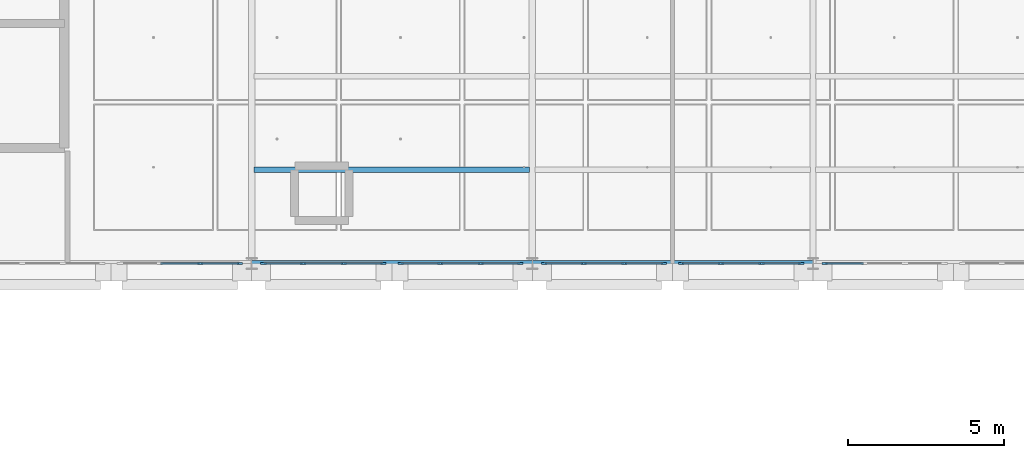
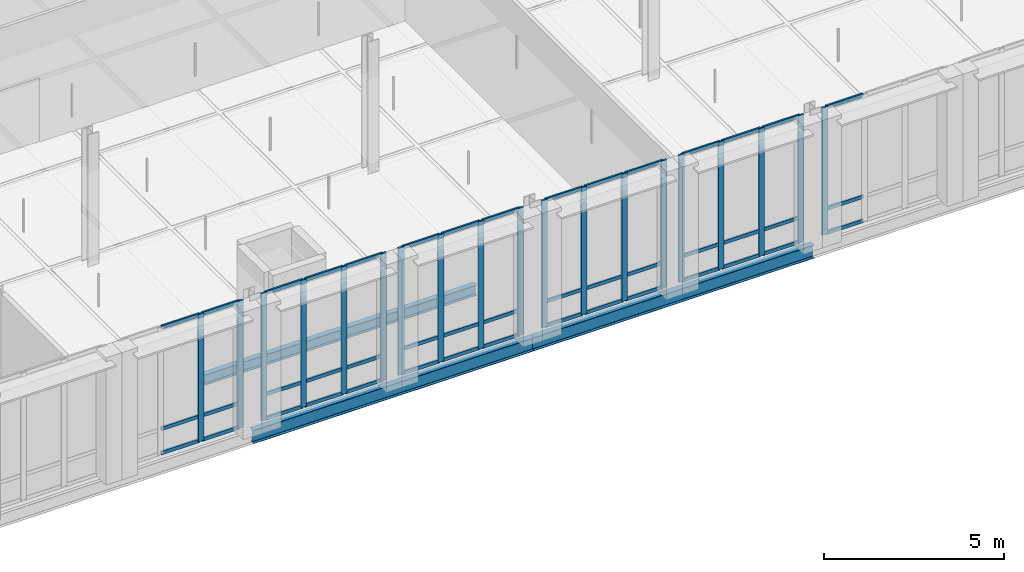
# One storey, part 48 of 130: 64 members, 3 beams, 6 elements without a shape of their own.
"""IFC4 building model written with IfcOpenShell, lengths in metres."""

from ifc_helpers import new_model, si_unit, direction, frame, origin, origin_2d, place, context, subcontext, project, spatial, rectangle, i_section, extrude, material, material_profile, profile_set, type_object, element, aggregate, save


model = new_model("IFC4")

# Units and contexts
model_context = context("Model", 3, precision=1e-05, world=origin(), true_north=direction((0.0, 1.0)))
body_context = subcontext(model_context, "Body", "Model", "MODEL_VIEW")
ifc_project = project(units=[si_unit("LENGTHUNIT", "METRE"), si_unit("AREAUNIT", "SQUARE_METRE"), si_unit("VOLUMEUNIT", "CUBIC_METRE"), si_unit("PLANEANGLEUNIT", "RADIAN"), si_unit("MASSUNIT", "GRAM", prefix="KILO"), si_unit("THERMODYNAMICTEMPERATUREUNIT", "KELVIN"), si_unit("POWERUNIT", "WATT")], contexts=[model_context])

# Site, building, storey
site_placement = place(None, origin())
site = spatial("IfcSite", under=ifc_project, at=site_placement, CompositionType="ELEMENT")
building_placement = place(site_placement, origin())
building = spatial("IfcBuilding", under=site, at=building_placement, Name="Tallowbark Science Centre", CompositionType="ELEMENT")
storey_placement = place(building_placement, frame((0.0, 0.0, 5.39990234375)))
storey = spatial("IfcBuildingStorey", under=building, at=storey_placement, Name="L01", CompositionType="ELEMENT", Elevation=5.39990234375)

# Curtain wall, members
ifc_material_1 = material(Name="Unitised Thermally Broken Aluminium and Low-E Double Glazing", Category="aluminium")
curtain_wall_type = type_object("IfcCurtainWallType", Name="CW-SYS-FACADE", PredefinedType="NOTDEFINED", material=ifc_material_1)
curtain_wall_1_placement = place(storey_placement, origin())
curtain_wall_1 = element("IfcCurtainWall", 1, at=curtain_wall_1_placement, inside=storey, type_object=curtain_wall_type, Name="Unitised Curtain Wall OBS-S-121B CW-L01-117", PredefinedType="NOTDEFINED")
ifc_material_2 = material(Name="Anodised Architectural Aluminium Alloy 6063-T6", Category="aluminium")
ifc_material_profile_1 = material_profile(ifc_material_2, rectangle(XDim=0.06494140625, YDim=0.179931640625, at=origin_2d()), Name="ALU65x180")
ifc_profile_set_1 = profile_set([ifc_material_profile_1], Name="Anodised Architectural Aluminium Alloy 6063-T6")
member_type_1 = type_object("IfcMemberType", Name="CWM-MUL-220", PredefinedType="MULLION", material=ifc_profile_set_1)
member_1_placement = place(storey_placement, frame((128.85009765625, 72.0, 0.0), z_axis=(0.0, 0.0, 1.0), x_axis=(0.0, 1.0, 0.0)))
member_1 = element("IfcMember", 2, at=member_1_placement, type_object=member_type_1, Name="CW-01 mullion 3", PredefinedType="MULLION", context=body_context, shape_type="SweptSolid", body=[
    extrude(rectangle(XDim=0.06494140625, YDim=0.179931640625, at=origin_2d()), origin(), (0.0, 0.0, 1.0), 4.320068359375),
])
member_2_placement = place(storey_placement, frame((130.117431640625, 72.0, 0.0), z_axis=(0.0, 0.0, 1.0), x_axis=(0.0, 1.0, 0.0)))
member_2 = element("IfcMember", 3, at=member_2_placement, type_object=member_type_1, Name="CW-01 mullion 4", PredefinedType="MULLION", context=body_context, shape_type="SweptSolid", body=[
    extrude(rectangle(XDim=0.06494140625, YDim=0.179931640625, at=origin_2d()), origin(), (0.0, 0.0, 1.0), 4.320068359375),
])

curtain_wall_2_placement = place(storey_placement, origin())
curtain_wall_2 = element("IfcCurtainWall", 4, at=curtain_wall_2_placement, inside=storey, type_object=curtain_wall_type, Name="Unitised Curtain Wall OBS-S-130A CW-L01-120", PredefinedType="NOTDEFINED")
member_3_placement = place(storey_placement, frame((130.882568359375, 72.0, 0.0), z_axis=(0.0, 0.0, 1.0), x_axis=(0.0, 1.0, 0.0)))
member_3 = element("IfcMember", 5, at=member_3_placement, type_object=member_type_1, Name="CW-01 mullion 1", PredefinedType="MULLION", context=body_context, shape_type="SweptSolid", body=[
    extrude(rectangle(XDim=0.06494140625, YDim=0.179931640625, at=origin_2d()), origin(), (0.0, 0.0, 1.0), 4.320068359375),
])
member_4_placement = place(storey_placement, frame((132.14990234375, 72.0, 0.0), z_axis=(0.0, 0.0, 1.0), x_axis=(0.0, 1.0, 0.0)))
member_4 = element("IfcMember", 6, at=member_4_placement, type_object=member_type_1, Name="CW-01 mullion 2", PredefinedType="MULLION", context=body_context, shape_type="SweptSolid", body=[
    extrude(rectangle(XDim=0.06494140625, YDim=0.179931640625, at=origin_2d()), origin(), (0.0, 0.0, 1.0), 4.320068359375),
])
member_5_placement = place(storey_placement, frame((133.449951171875, 72.0, 0.0), z_axis=(0.0, 0.0, 1.0), x_axis=(0.0, 1.0, 0.0)))
member_5 = element("IfcMember", 7, at=member_5_placement, type_object=member_type_1, Name="CW-01 mullion 3", PredefinedType="MULLION", context=body_context, shape_type="SweptSolid", body=[
    extrude(rectangle(XDim=0.06494140625, YDim=0.179931640625, at=origin_2d()), origin(), (0.0, 0.0, 1.0), 4.320068359375),
])
member_6_placement = place(storey_placement, frame((134.717529296875, 72.0, 0.0), z_axis=(0.0, 0.0, 1.0), x_axis=(0.0, 1.0, 0.0)))
member_6 = element("IfcMember", 8, at=member_6_placement, type_object=member_type_1, Name="CW-01 mullion 4", PredefinedType="MULLION", context=body_context, shape_type="SweptSolid", body=[
    extrude(rectangle(XDim=0.06494140625, YDim=0.179931640625, at=origin_2d()), origin(), (0.0, 0.0, 1.0), 4.320068359375),
])

curtain_wall_3_placement = place(storey_placement, origin())
curtain_wall_3 = element("IfcCurtainWall", 9, at=curtain_wall_3_placement, inside=storey, type_object=curtain_wall_type, Name="Unitised Curtain Wall OBS-S-130B CW-L01-121", PredefinedType="NOTDEFINED")
member_7_placement = place(storey_placement, frame((135.282470703125, 72.0, 0.0), z_axis=(0.0, 0.0, 1.0), x_axis=(0.0, 1.0, 0.0)))
member_7 = element("IfcMember", 10, at=member_7_placement, type_object=member_type_1, Name="CW-01 mullion 1", PredefinedType="MULLION", context=body_context, shape_type="SweptSolid", body=[
    extrude(rectangle(XDim=0.06494140625, YDim=0.179931640625, at=origin_2d()), origin(), (0.0, 0.0, 1.0), 4.320068359375),
])
member_8_placement = place(storey_placement, frame((136.550048828125, 72.0, 0.0), z_axis=(0.0, 0.0, 1.0), x_axis=(0.0, 1.0, 0.0)))
member_8 = element("IfcMember", 11, at=member_8_placement, type_object=member_type_1, Name="CW-01 mullion 2", PredefinedType="MULLION", context=body_context, shape_type="SweptSolid", body=[
    extrude(rectangle(XDim=0.06494140625, YDim=0.179931640625, at=origin_2d()), origin(), (0.0, 0.0, 1.0), 4.320068359375),
])
member_9_placement = place(storey_placement, frame((137.85009765625, 72.0, 0.0), z_axis=(0.0, 0.0, 1.0), x_axis=(0.0, 1.0, 0.0)))
member_9 = element("IfcMember", 12, at=member_9_placement, type_object=member_type_1, Name="CW-01 mullion 3", PredefinedType="MULLION", context=body_context, shape_type="SweptSolid", body=[
    extrude(rectangle(XDim=0.06494140625, YDim=0.179931640625, at=origin_2d()), origin(), (0.0, 0.0, 1.0), 4.320068359375),
])
member_10_placement = place(storey_placement, frame((139.117431640625, 72.0, 0.0), z_axis=(0.0, 0.0, 1.0), x_axis=(0.0, 1.0, 0.0)))
member_10 = element("IfcMember", 13, at=member_10_placement, type_object=member_type_1, Name="CW-01 mullion 4", PredefinedType="MULLION", context=body_context, shape_type="SweptSolid", body=[
    extrude(rectangle(XDim=0.06494140625, YDim=0.179931640625, at=origin_2d()), origin(), (0.0, 0.0, 1.0), 4.320068359375),
])

curtain_wall_4_placement = place(storey_placement, origin())
curtain_wall_4 = element("IfcCurtainWall", 14, at=curtain_wall_4_placement, inside=storey, type_object=curtain_wall_type, Name="Unitised Curtain Wall OBS-S-139A CW-L01-124", PredefinedType="NOTDEFINED")
member_11_placement = place(storey_placement, frame((139.882568359375, 72.0, 0.0), z_axis=(0.0, 0.0, 1.0), x_axis=(0.0, 1.0, 0.0)))
member_11 = element("IfcMember", 15, at=member_11_placement, type_object=member_type_1, Name="CW-01 mullion 1", PredefinedType="MULLION", context=body_context, shape_type="SweptSolid", body=[
    extrude(rectangle(XDim=0.06494140625, YDim=0.179931640625, at=origin_2d()), origin(), (0.0, 0.0, 1.0), 4.320068359375),
])
member_12_placement = place(storey_placement, frame((141.14990234375, 72.0, 0.0), z_axis=(0.0, 0.0, 1.0), x_axis=(0.0, 1.0, 0.0)))
member_12 = element("IfcMember", 16, at=member_12_placement, type_object=member_type_1, Name="CW-01 mullion 2", PredefinedType="MULLION", context=body_context, shape_type="SweptSolid", body=[
    extrude(rectangle(XDim=0.06494140625, YDim=0.179931640625, at=origin_2d()), origin(), (0.0, 0.0, 1.0), 4.320068359375),
])
member_13_placement = place(storey_placement, frame((142.449951171875, 72.0, 0.0), z_axis=(0.0, 0.0, 1.0), x_axis=(0.0, 1.0, 0.0)))
member_13 = element("IfcMember", 17, at=member_13_placement, type_object=member_type_1, Name="CW-01 mullion 3", PredefinedType="MULLION", context=body_context, shape_type="SweptSolid", body=[
    extrude(rectangle(XDim=0.06494140625, YDim=0.179931640625, at=origin_2d()), origin(), (0.0, 0.0, 1.0), 4.320068359375),
])
member_14_placement = place(storey_placement, frame((143.717529296875, 72.0, 0.0), z_axis=(0.0, 0.0, 1.0), x_axis=(0.0, 1.0, 0.0)))
member_14 = element("IfcMember", 18, at=member_14_placement, type_object=member_type_1, Name="CW-01 mullion 4", PredefinedType="MULLION", context=body_context, shape_type="SweptSolid", body=[
    extrude(rectangle(XDim=0.06494140625, YDim=0.179931640625, at=origin_2d()), origin(), (0.0, 0.0, 1.0), 4.320068359375),
])

curtain_wall_5_placement = place(storey_placement, origin())
curtain_wall_5 = element("IfcCurtainWall", 19, at=curtain_wall_5_placement, inside=storey, type_object=curtain_wall_type, Name="Unitised Curtain Wall OBS-S-139B CW-L01-125", PredefinedType="NOTDEFINED")
member_15_placement = place(storey_placement, frame((144.282470703125, 72.0, 0.0), z_axis=(0.0, 0.0, 1.0), x_axis=(0.0, 1.0, 0.0)))
member_15 = element("IfcMember", 20, at=member_15_placement, type_object=member_type_1, Name="CW-01 mullion 1", PredefinedType="MULLION", context=body_context, shape_type="SweptSolid", body=[
    extrude(rectangle(XDim=0.06494140625, YDim=0.179931640625, at=origin_2d()), origin(), (0.0, 0.0, 1.0), 4.320068359375),
])
member_16_placement = place(storey_placement, frame((145.550048828125, 72.0, 0.0), z_axis=(0.0, 0.0, 1.0), x_axis=(0.0, 1.0, 0.0)))
member_16 = element("IfcMember", 21, at=member_16_placement, type_object=member_type_1, Name="CW-01 mullion 2", PredefinedType="MULLION", context=body_context, shape_type="SweptSolid", body=[
    extrude(rectangle(XDim=0.06494140625, YDim=0.179931640625, at=origin_2d()), origin(), (0.0, 0.0, 1.0), 4.320068359375),
])
member_17_placement = place(storey_placement, frame((146.85009765625, 72.0, 0.0), z_axis=(0.0, 0.0, 1.0), x_axis=(0.0, 1.0, 0.0)))
member_17 = element("IfcMember", 22, at=member_17_placement, type_object=member_type_1, Name="CW-01 mullion 3", PredefinedType="MULLION", context=body_context, shape_type="SweptSolid", body=[
    extrude(rectangle(XDim=0.06494140625, YDim=0.179931640625, at=origin_2d()), origin(), (0.0, 0.0, 1.0), 4.320068359375),
])
member_18_placement = place(storey_placement, frame((148.117431640625, 72.0, 0.0), z_axis=(0.0, 0.0, 1.0), x_axis=(0.0, 1.0, 0.0)))
member_18 = element("IfcMember", 23, at=member_18_placement, type_object=member_type_1, Name="CW-01 mullion 4", PredefinedType="MULLION", context=body_context, shape_type="SweptSolid", body=[
    extrude(rectangle(XDim=0.06494140625, YDim=0.179931640625, at=origin_2d()), origin(), (0.0, 0.0, 1.0), 4.320068359375),
])

# Curtain wall, member
curtain_wall_6_placement = place(storey_placement, origin())
curtain_wall_6 = element("IfcCurtainWall", 24, at=curtain_wall_6_placement, inside=storey, type_object=curtain_wall_type, Name="Unitised Curtain Wall OBS-S-148A CW-L01-128", PredefinedType="NOTDEFINED")
member_19_placement = place(storey_placement, frame((148.882568359375, 72.0, 0.0), z_axis=(0.0, 0.0, 1.0), x_axis=(0.0, 1.0, 0.0)))
member_19 = element("IfcMember", 25, at=member_19_placement, type_object=member_type_1, Name="CW-01 mullion 1", PredefinedType="MULLION", context=body_context, shape_type="SweptSolid", body=[
    extrude(rectangle(XDim=0.06494140625, YDim=0.179931640625, at=origin_2d()), origin(), (0.0, 0.0, 1.0), 4.320068359375),
])

# Member
ifc_material_profile_2 = material_profile(ifc_material_2, rectangle(XDim=0.054931640625, YDim=0.1201171875, at=origin_2d()), Name="ALU55x120")
ifc_profile_set_2 = profile_set([ifc_material_profile_2], Name="Anodised Architectural Aluminium Alloy 6063-T6")
member_type_2 = type_object("IfcMemberType", Name="CWM-TRN-150", PredefinedType="USERDEFINED", material=ifc_profile_set_2)
member_20_placement = place(storey_placement, frame((127.58251953125, 72.0, 0.027587890625), z_axis=(1.0, 0.0, 0.0), x_axis=(0.0, 1.0, 0.0)))
member_20 = element("IfcMember", 26, at=member_20_placement, type_object=member_type_2, Name="CW-01 transom 2.1", ObjectType="TRANSOM", PredefinedType="USERDEFINED", context=body_context, shape_type="SweptSolid", body=[
    extrude(rectangle(XDim=0.054931640625, YDim=0.1201171875, at=origin_2d()), origin(), (0.0, 0.0, 1.0), 1.23486328125),
])

member_21_placement = place(storey_placement, frame((127.58251953125, 72.0, 0.85009765625), z_axis=(1.0, 0.0, 0.0), x_axis=(0.0, 1.0, 0.0)))
member_21 = element("IfcMember", 27, at=member_21_placement, type_object=member_type_2, Name="CW-01 transom 2.2", ObjectType="TRANSOM", PredefinedType="USERDEFINED", context=body_context, shape_type="SweptSolid", body=[
    extrude(rectangle(XDim=0.054931640625, YDim=0.1201171875, at=origin_2d()), origin(), (0.0, 0.0, 1.0), 1.23486328125),
])

member_22_placement = place(storey_placement, frame((127.58251953125, 72.0, 4.29248046875), z_axis=(1.0, 0.0, 0.0), x_axis=(0.0, 1.0, 0.0)))
member_22 = element("IfcMember", 28, at=member_22_placement, type_object=member_type_2, Name="CW-01 transom 2.3", ObjectType="TRANSOM", PredefinedType="USERDEFINED", context=body_context, shape_type="SweptSolid", body=[
    extrude(rectangle(XDim=0.054931640625, YDim=0.1201171875, at=origin_2d()), origin(), (0.0, 0.0, 1.0), 1.23486328125),
])

member_23_placement = place(storey_placement, frame((128.882568359375, 72.0, 0.027587890625), z_axis=(1.0, 0.0, 0.0), x_axis=(0.0, 1.0, 0.0)))
member_23 = element("IfcMember", 29, at=member_23_placement, type_object=member_type_2, Name="CW-01 transom 3.1", ObjectType="TRANSOM", PredefinedType="USERDEFINED", context=body_context, shape_type="SweptSolid", body=[
    extrude(rectangle(XDim=0.054931640625, YDim=0.1201171875, at=origin_2d()), origin(), (0.0, 0.0, 1.0), 1.202392578125),
])

member_24_placement = place(storey_placement, frame((128.882568359375, 72.0, 0.85009765625), z_axis=(1.0, 0.0, 0.0), x_axis=(0.0, 1.0, 0.0)))
member_24 = element("IfcMember", 30, at=member_24_placement, type_object=member_type_2, Name="CW-01 transom 3.2", ObjectType="TRANSOM", PredefinedType="USERDEFINED", context=body_context, shape_type="SweptSolid", body=[
    extrude(rectangle(XDim=0.054931640625, YDim=0.1201171875, at=origin_2d()), origin(), (0.0, 0.0, 1.0), 1.202392578125),
])

member_25_placement = place(storey_placement, frame((128.882568359375, 72.0, 4.29248046875), z_axis=(1.0, 0.0, 0.0), x_axis=(0.0, 1.0, 0.0)))
member_25 = element("IfcMember", 31, at=member_25_placement, type_object=member_type_2, Name="CW-01 transom 3.3", ObjectType="TRANSOM", PredefinedType="USERDEFINED", context=body_context, shape_type="SweptSolid", body=[
    extrude(rectangle(XDim=0.054931640625, YDim=0.1201171875, at=origin_2d()), origin(), (0.0, 0.0, 1.0), 1.202392578125),
])

aggregate(curtain_wall_1, [member_1, member_2, member_20, member_21, member_22, member_23, member_24, member_25])

member_26_placement = place(storey_placement, frame((130.9150390625, 72.0, 0.027587890625), z_axis=(1.0, 0.0, 0.0), x_axis=(0.0, 1.0, 0.0)))
member_26 = element("IfcMember", 32, at=member_26_placement, type_object=member_type_2, Name="CW-01 transom 1.1", ObjectType="TRANSOM", PredefinedType="USERDEFINED", context=body_context, shape_type="SweptSolid", body=[
    extrude(rectangle(XDim=0.054931640625, YDim=0.1201171875, at=origin_2d()), origin(), (0.0, 0.0, 1.0), 1.202392578125),
])

member_27_placement = place(storey_placement, frame((130.9150390625, 72.0, 0.85009765625), z_axis=(1.0, 0.0, 0.0), x_axis=(0.0, 1.0, 0.0)))
member_27 = element("IfcMember", 33, at=member_27_placement, type_object=member_type_2, Name="CW-01 transom 1.2", ObjectType="TRANSOM", PredefinedType="USERDEFINED", context=body_context, shape_type="SweptSolid", body=[
    extrude(rectangle(XDim=0.054931640625, YDim=0.1201171875, at=origin_2d()), origin(), (0.0, 0.0, 1.0), 1.202392578125),
])

member_28_placement = place(storey_placement, frame((130.9150390625, 72.0, 4.29248046875), z_axis=(1.0, 0.0, 0.0), x_axis=(0.0, 1.0, 0.0)))
member_28 = element("IfcMember", 34, at=member_28_placement, type_object=member_type_2, Name="CW-01 transom 1.3", ObjectType="TRANSOM", PredefinedType="USERDEFINED", context=body_context, shape_type="SweptSolid", body=[
    extrude(rectangle(XDim=0.054931640625, YDim=0.1201171875, at=origin_2d()), origin(), (0.0, 0.0, 1.0), 1.202392578125),
])

member_29_placement = place(storey_placement, frame((132.1826171875, 72.0, 0.027587890625), z_axis=(1.0, 0.0, 0.0), x_axis=(0.0, 1.0, 0.0)))
member_29 = element("IfcMember", 35, at=member_29_placement, type_object=member_type_2, Name="CW-01 transom 2.1", ObjectType="TRANSOM", PredefinedType="USERDEFINED", context=body_context, shape_type="SweptSolid", body=[
    extrude(rectangle(XDim=0.054931640625, YDim=0.1201171875, at=origin_2d()), origin(), (0.0, 0.0, 1.0), 1.23486328125),
])

member_30_placement = place(storey_placement, frame((132.1826171875, 72.0, 0.85009765625), z_axis=(1.0, 0.0, 0.0), x_axis=(0.0, 1.0, 0.0)))
member_30 = element("IfcMember", 36, at=member_30_placement, type_object=member_type_2, Name="CW-01 transom 2.2", ObjectType="TRANSOM", PredefinedType="USERDEFINED", context=body_context, shape_type="SweptSolid", body=[
    extrude(rectangle(XDim=0.054931640625, YDim=0.1201171875, at=origin_2d()), origin(), (0.0, 0.0, 1.0), 1.23486328125),
])

member_31_placement = place(storey_placement, frame((132.1826171875, 72.0, 4.29248046875), z_axis=(1.0, 0.0, 0.0), x_axis=(0.0, 1.0, 0.0)))
member_31 = element("IfcMember", 37, at=member_31_placement, type_object=member_type_2, Name="CW-01 transom 2.3", ObjectType="TRANSOM", PredefinedType="USERDEFINED", context=body_context, shape_type="SweptSolid", body=[
    extrude(rectangle(XDim=0.054931640625, YDim=0.1201171875, at=origin_2d()), origin(), (0.0, 0.0, 1.0), 1.23486328125),
])

member_32_placement = place(storey_placement, frame((133.482421875, 72.0, 0.027587890625), z_axis=(1.0, 0.0, 0.0), x_axis=(0.0, 1.0, 0.0)))
member_32 = element("IfcMember", 38, at=member_32_placement, type_object=member_type_2, Name="CW-01 transom 3.1", ObjectType="TRANSOM", PredefinedType="USERDEFINED", context=body_context, shape_type="SweptSolid", body=[
    extrude(rectangle(XDim=0.054931640625, YDim=0.1201171875, at=origin_2d()), origin(), (0.0, 0.0, 1.0), 1.20263671875),
])

member_33_placement = place(storey_placement, frame((133.482421875, 72.0, 0.85009765625), z_axis=(1.0, 0.0, 0.0), x_axis=(0.0, 1.0, 0.0)))
member_33 = element("IfcMember", 39, at=member_33_placement, type_object=member_type_2, Name="CW-01 transom 3.2", ObjectType="TRANSOM", PredefinedType="USERDEFINED", context=body_context, shape_type="SweptSolid", body=[
    extrude(rectangle(XDim=0.054931640625, YDim=0.1201171875, at=origin_2d()), origin(), (0.0, 0.0, 1.0), 1.20263671875),
])

member_34_placement = place(storey_placement, frame((133.482421875, 72.0, 4.29248046875), z_axis=(1.0, 0.0, 0.0), x_axis=(0.0, 1.0, 0.0)))
member_34 = element("IfcMember", 40, at=member_34_placement, type_object=member_type_2, Name="CW-01 transom 3.3", ObjectType="TRANSOM", PredefinedType="USERDEFINED", context=body_context, shape_type="SweptSolid", body=[
    extrude(rectangle(XDim=0.054931640625, YDim=0.1201171875, at=origin_2d()), origin(), (0.0, 0.0, 1.0), 1.20263671875),
])

aggregate(curtain_wall_2, [member_3, member_4, member_5, member_6, member_26, member_27, member_28, member_29, member_30, member_31, member_32, member_33, member_34])

member_35_placement = place(storey_placement, frame((135.31494140625, 72.0, 0.027587890625), z_axis=(1.0, 0.0, 0.0), x_axis=(0.0, 1.0, 0.0)))
member_35 = element("IfcMember", 41, at=member_35_placement, type_object=member_type_2, Name="CW-01 transom 1.1", ObjectType="TRANSOM", PredefinedType="USERDEFINED", context=body_context, shape_type="SweptSolid", body=[
    extrude(rectangle(XDim=0.054931640625, YDim=0.1201171875, at=origin_2d()), origin(), (0.0, 0.0, 1.0), 1.20263671875),
])

member_36_placement = place(storey_placement, frame((135.31494140625, 72.0, 0.85009765625), z_axis=(1.0, 0.0, 0.0), x_axis=(0.0, 1.0, 0.0)))
member_36 = element("IfcMember", 42, at=member_36_placement, type_object=member_type_2, Name="CW-01 transom 1.2", ObjectType="TRANSOM", PredefinedType="USERDEFINED", context=body_context, shape_type="SweptSolid", body=[
    extrude(rectangle(XDim=0.054931640625, YDim=0.1201171875, at=origin_2d()), origin(), (0.0, 0.0, 1.0), 1.20263671875),
])

member_37_placement = place(storey_placement, frame((135.31494140625, 72.0, 4.29248046875), z_axis=(1.0, 0.0, 0.0), x_axis=(0.0, 1.0, 0.0)))
member_37 = element("IfcMember", 43, at=member_37_placement, type_object=member_type_2, Name="CW-01 transom 1.3", ObjectType="TRANSOM", PredefinedType="USERDEFINED", context=body_context, shape_type="SweptSolid", body=[
    extrude(rectangle(XDim=0.054931640625, YDim=0.1201171875, at=origin_2d()), origin(), (0.0, 0.0, 1.0), 1.20263671875),
])

member_38_placement = place(storey_placement, frame((136.58251953125, 72.0, 0.027587890625), z_axis=(1.0, 0.0, 0.0), x_axis=(0.0, 1.0, 0.0)))
member_38 = element("IfcMember", 44, at=member_38_placement, type_object=member_type_2, Name="CW-01 transom 2.1", ObjectType="TRANSOM", PredefinedType="USERDEFINED", context=body_context, shape_type="SweptSolid", body=[
    extrude(rectangle(XDim=0.054931640625, YDim=0.1201171875, at=origin_2d()), origin(), (0.0, 0.0, 1.0), 1.23486328125),
])

member_39_placement = place(storey_placement, frame((136.58251953125, 72.0, 0.85009765625), z_axis=(1.0, 0.0, 0.0), x_axis=(0.0, 1.0, 0.0)))
member_39 = element("IfcMember", 45, at=member_39_placement, type_object=member_type_2, Name="CW-01 transom 2.2", ObjectType="TRANSOM", PredefinedType="USERDEFINED", context=body_context, shape_type="SweptSolid", body=[
    extrude(rectangle(XDim=0.054931640625, YDim=0.1201171875, at=origin_2d()), origin(), (0.0, 0.0, 1.0), 1.23486328125),
])

member_40_placement = place(storey_placement, frame((136.58251953125, 72.0, 4.29248046875), z_axis=(1.0, 0.0, 0.0), x_axis=(0.0, 1.0, 0.0)))
member_40 = element("IfcMember", 46, at=member_40_placement, type_object=member_type_2, Name="CW-01 transom 2.3", ObjectType="TRANSOM", PredefinedType="USERDEFINED", context=body_context, shape_type="SweptSolid", body=[
    extrude(rectangle(XDim=0.054931640625, YDim=0.1201171875, at=origin_2d()), origin(), (0.0, 0.0, 1.0), 1.23486328125),
])

member_41_placement = place(storey_placement, frame((137.882568359375, 72.0, 0.027587890625), z_axis=(1.0, 0.0, 0.0), x_axis=(0.0, 1.0, 0.0)))
member_41 = element("IfcMember", 47, at=member_41_placement, type_object=member_type_2, Name="CW-01 transom 3.1", ObjectType="TRANSOM", PredefinedType="USERDEFINED", context=body_context, shape_type="SweptSolid", body=[
    extrude(rectangle(XDim=0.054931640625, YDim=0.1201171875, at=origin_2d()), origin(), (0.0, 0.0, 1.0), 1.202392578125),
])

member_42_placement = place(storey_placement, frame((137.882568359375, 72.0, 0.85009765625), z_axis=(1.0, 0.0, 0.0), x_axis=(0.0, 1.0, 0.0)))
member_42 = element("IfcMember", 48, at=member_42_placement, type_object=member_type_2, Name="CW-01 transom 3.2", ObjectType="TRANSOM", PredefinedType="USERDEFINED", context=body_context, shape_type="SweptSolid", body=[
    extrude(rectangle(XDim=0.054931640625, YDim=0.1201171875, at=origin_2d()), origin(), (0.0, 0.0, 1.0), 1.202392578125),
])

member_43_placement = place(storey_placement, frame((137.882568359375, 72.0, 4.29248046875), z_axis=(1.0, 0.0, 0.0), x_axis=(0.0, 1.0, 0.0)))
member_43 = element("IfcMember", 49, at=member_43_placement, type_object=member_type_2, Name="CW-01 transom 3.3", ObjectType="TRANSOM", PredefinedType="USERDEFINED", context=body_context, shape_type="SweptSolid", body=[
    extrude(rectangle(XDim=0.054931640625, YDim=0.1201171875, at=origin_2d()), origin(), (0.0, 0.0, 1.0), 1.202392578125),
])

aggregate(curtain_wall_3, [member_7, member_8, member_9, member_10, member_35, member_36, member_37, member_38, member_39, member_40, member_41, member_42, member_43])

member_44_placement = place(storey_placement, frame((139.9150390625, 72.0, 0.027587890625), z_axis=(1.0, 0.0, 0.0), x_axis=(0.0, 1.0, 0.0)))
member_44 = element("IfcMember", 50, at=member_44_placement, type_object=member_type_2, Name="CW-01 transom 1.1", ObjectType="TRANSOM", PredefinedType="USERDEFINED", context=body_context, shape_type="SweptSolid", body=[
    extrude(rectangle(XDim=0.054931640625, YDim=0.1201171875, at=origin_2d()), origin(), (0.0, 0.0, 1.0), 1.202392578125),
])

member_45_placement = place(storey_placement, frame((139.9150390625, 72.0, 0.85009765625), z_axis=(1.0, 0.0, 0.0), x_axis=(0.0, 1.0, 0.0)))
member_45 = element("IfcMember", 51, at=member_45_placement, type_object=member_type_2, Name="CW-01 transom 1.2", ObjectType="TRANSOM", PredefinedType="USERDEFINED", context=body_context, shape_type="SweptSolid", body=[
    extrude(rectangle(XDim=0.054931640625, YDim=0.1201171875, at=origin_2d()), origin(), (0.0, 0.0, 1.0), 1.202392578125),
])

member_46_placement = place(storey_placement, frame((139.9150390625, 72.0, 4.29248046875), z_axis=(1.0, 0.0, 0.0), x_axis=(0.0, 1.0, 0.0)))
member_46 = element("IfcMember", 52, at=member_46_placement, type_object=member_type_2, Name="CW-01 transom 1.3", ObjectType="TRANSOM", PredefinedType="USERDEFINED", context=body_context, shape_type="SweptSolid", body=[
    extrude(rectangle(XDim=0.054931640625, YDim=0.1201171875, at=origin_2d()), origin(), (0.0, 0.0, 1.0), 1.202392578125),
])

member_47_placement = place(storey_placement, frame((141.1826171875, 72.0, 0.027587890625), z_axis=(1.0, 0.0, 0.0), x_axis=(0.0, 1.0, 0.0)))
member_47 = element("IfcMember", 53, at=member_47_placement, type_object=member_type_2, Name="CW-01 transom 2.1", ObjectType="TRANSOM", PredefinedType="USERDEFINED", context=body_context, shape_type="SweptSolid", body=[
    extrude(rectangle(XDim=0.054931640625, YDim=0.1201171875, at=origin_2d()), origin(), (0.0, 0.0, 1.0), 1.23486328125),
])

member_48_placement = place(storey_placement, frame((141.1826171875, 72.0, 0.85009765625), z_axis=(1.0, 0.0, 0.0), x_axis=(0.0, 1.0, 0.0)))
member_48 = element("IfcMember", 54, at=member_48_placement, type_object=member_type_2, Name="CW-01 transom 2.2", ObjectType="TRANSOM", PredefinedType="USERDEFINED", context=body_context, shape_type="SweptSolid", body=[
    extrude(rectangle(XDim=0.054931640625, YDim=0.1201171875, at=origin_2d()), origin(), (0.0, 0.0, 1.0), 1.23486328125),
])

member_49_placement = place(storey_placement, frame((141.1826171875, 72.0, 4.29248046875), z_axis=(1.0, 0.0, 0.0), x_axis=(0.0, 1.0, 0.0)))
member_49 = element("IfcMember", 55, at=member_49_placement, type_object=member_type_2, Name="CW-01 transom 2.3", ObjectType="TRANSOM", PredefinedType="USERDEFINED", context=body_context, shape_type="SweptSolid", body=[
    extrude(rectangle(XDim=0.054931640625, YDim=0.1201171875, at=origin_2d()), origin(), (0.0, 0.0, 1.0), 1.23486328125),
])

member_50_placement = place(storey_placement, frame((142.482421875, 72.0, 0.027587890625), z_axis=(1.0, 0.0, 0.0), x_axis=(0.0, 1.0, 0.0)))
member_50 = element("IfcMember", 56, at=member_50_placement, type_object=member_type_2, Name="CW-01 transom 3.1", ObjectType="TRANSOM", PredefinedType="USERDEFINED", context=body_context, shape_type="SweptSolid", body=[
    extrude(rectangle(XDim=0.054931640625, YDim=0.1201171875, at=origin_2d()), origin(), (0.0, 0.0, 1.0), 1.20263671875),
])

member_51_placement = place(storey_placement, frame((142.482421875, 72.0, 0.85009765625), z_axis=(1.0, 0.0, 0.0), x_axis=(0.0, 1.0, 0.0)))
member_51 = element("IfcMember", 57, at=member_51_placement, type_object=member_type_2, Name="CW-01 transom 3.2", ObjectType="TRANSOM", PredefinedType="USERDEFINED", context=body_context, shape_type="SweptSolid", body=[
    extrude(rectangle(XDim=0.054931640625, YDim=0.1201171875, at=origin_2d()), origin(), (0.0, 0.0, 1.0), 1.20263671875),
])

member_52_placement = place(storey_placement, frame((142.482421875, 72.0, 4.29248046875), z_axis=(1.0, 0.0, 0.0), x_axis=(0.0, 1.0, 0.0)))
member_52 = element("IfcMember", 58, at=member_52_placement, type_object=member_type_2, Name="CW-01 transom 3.3", ObjectType="TRANSOM", PredefinedType="USERDEFINED", context=body_context, shape_type="SweptSolid", body=[
    extrude(rectangle(XDim=0.054931640625, YDim=0.1201171875, at=origin_2d()), origin(), (0.0, 0.0, 1.0), 1.20263671875),
])

aggregate(curtain_wall_4, [member_11, member_12, member_13, member_14, member_44, member_45, member_46, member_47, member_48, member_49, member_50, member_51, member_52])

member_53_placement = place(storey_placement, frame((144.31494140625, 72.0, 0.027587890625), z_axis=(1.0, 0.0, 0.0), x_axis=(0.0, 1.0, 0.0)))
member_53 = element("IfcMember", 59, at=member_53_placement, type_object=member_type_2, Name="CW-01 transom 1.1", ObjectType="TRANSOM", PredefinedType="USERDEFINED", context=body_context, shape_type="SweptSolid", body=[
    extrude(rectangle(XDim=0.054931640625, YDim=0.1201171875, at=origin_2d()), origin(), (0.0, 0.0, 1.0), 1.20263671875),
])

member_54_placement = place(storey_placement, frame((144.31494140625, 72.0, 0.85009765625), z_axis=(1.0, 0.0, 0.0), x_axis=(0.0, 1.0, 0.0)))
member_54 = element("IfcMember", 60, at=member_54_placement, type_object=member_type_2, Name="CW-01 transom 1.2", ObjectType="TRANSOM", PredefinedType="USERDEFINED", context=body_context, shape_type="SweptSolid", body=[
    extrude(rectangle(XDim=0.054931640625, YDim=0.1201171875, at=origin_2d()), origin(), (0.0, 0.0, 1.0), 1.20263671875),
])

member_55_placement = place(storey_placement, frame((144.31494140625, 72.0, 4.29248046875), z_axis=(1.0, 0.0, 0.0), x_axis=(0.0, 1.0, 0.0)))
member_55 = element("IfcMember", 61, at=member_55_placement, type_object=member_type_2, Name="CW-01 transom 1.3", ObjectType="TRANSOM", PredefinedType="USERDEFINED", context=body_context, shape_type="SweptSolid", body=[
    extrude(rectangle(XDim=0.054931640625, YDim=0.1201171875, at=origin_2d()), origin(), (0.0, 0.0, 1.0), 1.20263671875),
])

member_56_placement = place(storey_placement, frame((145.58251953125, 72.0, 0.027587890625), z_axis=(1.0, 0.0, 0.0), x_axis=(0.0, 1.0, 0.0)))
member_56 = element("IfcMember", 62, at=member_56_placement, type_object=member_type_2, Name="CW-01 transom 2.1", ObjectType="TRANSOM", PredefinedType="USERDEFINED", context=body_context, shape_type="SweptSolid", body=[
    extrude(rectangle(XDim=0.054931640625, YDim=0.1201171875, at=origin_2d()), origin(), (0.0, 0.0, 1.0), 1.23486328125),
])

member_57_placement = place(storey_placement, frame((145.58251953125, 72.0, 0.85009765625), z_axis=(1.0, 0.0, 0.0), x_axis=(0.0, 1.0, 0.0)))
member_57 = element("IfcMember", 63, at=member_57_placement, type_object=member_type_2, Name="CW-01 transom 2.2", ObjectType="TRANSOM", PredefinedType="USERDEFINED", context=body_context, shape_type="SweptSolid", body=[
    extrude(rectangle(XDim=0.054931640625, YDim=0.1201171875, at=origin_2d()), origin(), (0.0, 0.0, 1.0), 1.23486328125),
])

member_58_placement = place(storey_placement, frame((145.58251953125, 72.0, 4.29248046875), z_axis=(1.0, 0.0, 0.0), x_axis=(0.0, 1.0, 0.0)))
member_58 = element("IfcMember", 64, at=member_58_placement, type_object=member_type_2, Name="CW-01 transom 2.3", ObjectType="TRANSOM", PredefinedType="USERDEFINED", context=body_context, shape_type="SweptSolid", body=[
    extrude(rectangle(XDim=0.054931640625, YDim=0.1201171875, at=origin_2d()), origin(), (0.0, 0.0, 1.0), 1.23486328125),
])

member_59_placement = place(storey_placement, frame((146.882568359375, 72.0, 0.027587890625), z_axis=(1.0, 0.0, 0.0), x_axis=(0.0, 1.0, 0.0)))
member_59 = element("IfcMember", 65, at=member_59_placement, type_object=member_type_2, Name="CW-01 transom 3.1", ObjectType="TRANSOM", PredefinedType="USERDEFINED", context=body_context, shape_type="SweptSolid", body=[
    extrude(rectangle(XDim=0.054931640625, YDim=0.1201171875, at=origin_2d()), origin(), (0.0, 0.0, 1.0), 1.202392578125),
])

member_60_placement = place(storey_placement, frame((146.882568359375, 72.0, 0.85009765625), z_axis=(1.0, 0.0, 0.0), x_axis=(0.0, 1.0, 0.0)))
member_60 = element("IfcMember", 66, at=member_60_placement, type_object=member_type_2, Name="CW-01 transom 3.2", ObjectType="TRANSOM", PredefinedType="USERDEFINED", context=body_context, shape_type="SweptSolid", body=[
    extrude(rectangle(XDim=0.054931640625, YDim=0.1201171875, at=origin_2d()), origin(), (0.0, 0.0, 1.0), 1.202392578125),
])

member_61_placement = place(storey_placement, frame((146.882568359375, 72.0, 4.29248046875), z_axis=(1.0, 0.0, 0.0), x_axis=(0.0, 1.0, 0.0)))
member_61 = element("IfcMember", 67, at=member_61_placement, type_object=member_type_2, Name="CW-01 transom 3.3", ObjectType="TRANSOM", PredefinedType="USERDEFINED", context=body_context, shape_type="SweptSolid", body=[
    extrude(rectangle(XDim=0.054931640625, YDim=0.1201171875, at=origin_2d()), origin(), (0.0, 0.0, 1.0), 1.202392578125),
])

aggregate(curtain_wall_5, [member_15, member_16, member_17, member_18, member_53, member_54, member_55, member_56, member_57, member_58, member_59, member_60, member_61])

member_62_placement = place(storey_placement, frame((148.9150390625, 72.0, 0.027587890625), z_axis=(1.0, 0.0, 0.0), x_axis=(0.0, 1.0, 0.0)))
member_62 = element("IfcMember", 68, at=member_62_placement, type_object=member_type_2, Name="CW-01 transom 1.1", ObjectType="TRANSOM", PredefinedType="USERDEFINED", context=body_context, shape_type="SweptSolid", body=[
    extrude(rectangle(XDim=0.054931640625, YDim=0.1201171875, at=origin_2d()), origin(), (0.0, 0.0, 1.0), 1.202392578125),
])

member_63_placement = place(storey_placement, frame((148.9150390625, 72.0, 0.85009765625), z_axis=(1.0, 0.0, 0.0), x_axis=(0.0, 1.0, 0.0)))
member_63 = element("IfcMember", 69, at=member_63_placement, type_object=member_type_2, Name="CW-01 transom 1.2", ObjectType="TRANSOM", PredefinedType="USERDEFINED", context=body_context, shape_type="SweptSolid", body=[
    extrude(rectangle(XDim=0.054931640625, YDim=0.1201171875, at=origin_2d()), origin(), (0.0, 0.0, 1.0), 1.202392578125),
])

member_64_placement = place(storey_placement, frame((148.9150390625, 72.0, 4.29248046875), z_axis=(1.0, 0.0, 0.0), x_axis=(0.0, 1.0, 0.0)))
member_64 = element("IfcMember", 70, at=member_64_placement, type_object=member_type_2, Name="CW-01 transom 1.3", ObjectType="TRANSOM", PredefinedType="USERDEFINED", context=body_context, shape_type="SweptSolid", body=[
    extrude(rectangle(XDim=0.054931640625, YDim=0.1201171875, at=origin_2d()), origin(), (0.0, 0.0, 1.0), 1.202392578125),
])

aggregate(curtain_wall_6, [member_19, member_62, member_63, member_64])

# Beams
ifc_material_3 = material(Name="Structural Steel Grade 300PLUS (300 MPa)", Category="steel")
ifc_material_profile_3 = material_profile(ifc_material_3, i_section(OverallWidth=0.172119140625, OverallDepth=0.358642578125, WebThickness=0.008056640625, FlangeThickness=0.012939453125, FilletRadius=0.011474609375, at=origin_2d()), Name="360UB56.7")
ifc_profile_set_3 = profile_set([ifc_material_profile_3], Name="Structural Steel Grade 300PLUS (300 MPa)")
beam_type_1 = type_object("IfcBeamType", Name="JST-UB360", PredefinedType="JOIST", material=ifc_profile_set_3)
beam_placement = place(storey_placement, frame((130.5849609375, 75.0, -0.359130859375), z_axis=(1.0, 0.0, 0.0), x_axis=(0.0, 1.0, 0.0)))
element("IfcBeam", 71, at=beam_placement, inside=storey, type_object=beam_type_1, Name="Composite Floor Joist JSTX-L01-1305-750", PredefinedType="JOIST", context=body_context, shape_type="SweptSolid", body=[
    extrude(i_section(OverallWidth=0.172119140625, OverallDepth=0.358642578125, WebThickness=0.008056640625, FlangeThickness=0.012939453125, FilletRadius=0.011474609375, at=origin_2d()), origin(), (0.0, 0.0, 1.0), 8.830078125),
])
ifc_material_profile_4 = material_profile(ifc_material_3, i_section(OverallWidth=0.18994140625, OverallDepth=0.453857421875, WebThickness=0.008544921875, FlangeThickness=0.0126953125, FilletRadius=0.011474609375, at=origin_2d()), Name="460UB67.1")
ifc_profile_set_4 = profile_set([ifc_material_profile_4], Name="Structural Steel Grade 300PLUS (300 MPa)")
beam_type_2 = type_object("IfcBeamType", Name="SPN-UB460", PredefinedType="SPANDREL", material=ifc_profile_set_4)
for number, where, z_axis, x_axis, name in (
    (72, (130.5, 72.0, -0.40673828125), (1.0, 0.0, 0.0), (0.0, 1.0, 0.0), "Primary Girder GRDX-L01-1305-1395-720"),
    (73, (139.5, 72.0, -0.40673828125), (1.0, 0.0, 0.0), (0.0, 1.0, 0.0), "Primary Girder GRDX-L01-1395-1485-720"),
):
    element("IfcBeam", number, at=place(storey_placement, frame(where, z_axis=z_axis, x_axis=x_axis)), inside=storey, type_object=beam_type_2, Name=name, PredefinedType="SPANDREL", context=body_context, shape_type="SweptSolid", body=[
        extrude(i_section(OverallWidth=0.18994140625, OverallDepth=0.453857421875, WebThickness=0.008544921875, FlangeThickness=0.0126953125, FilletRadius=0.011474609375, at=origin_2d()), origin(), (0.0, 0.0, 1.0), 9.0),
    ])

save(model, "model.ifc")
